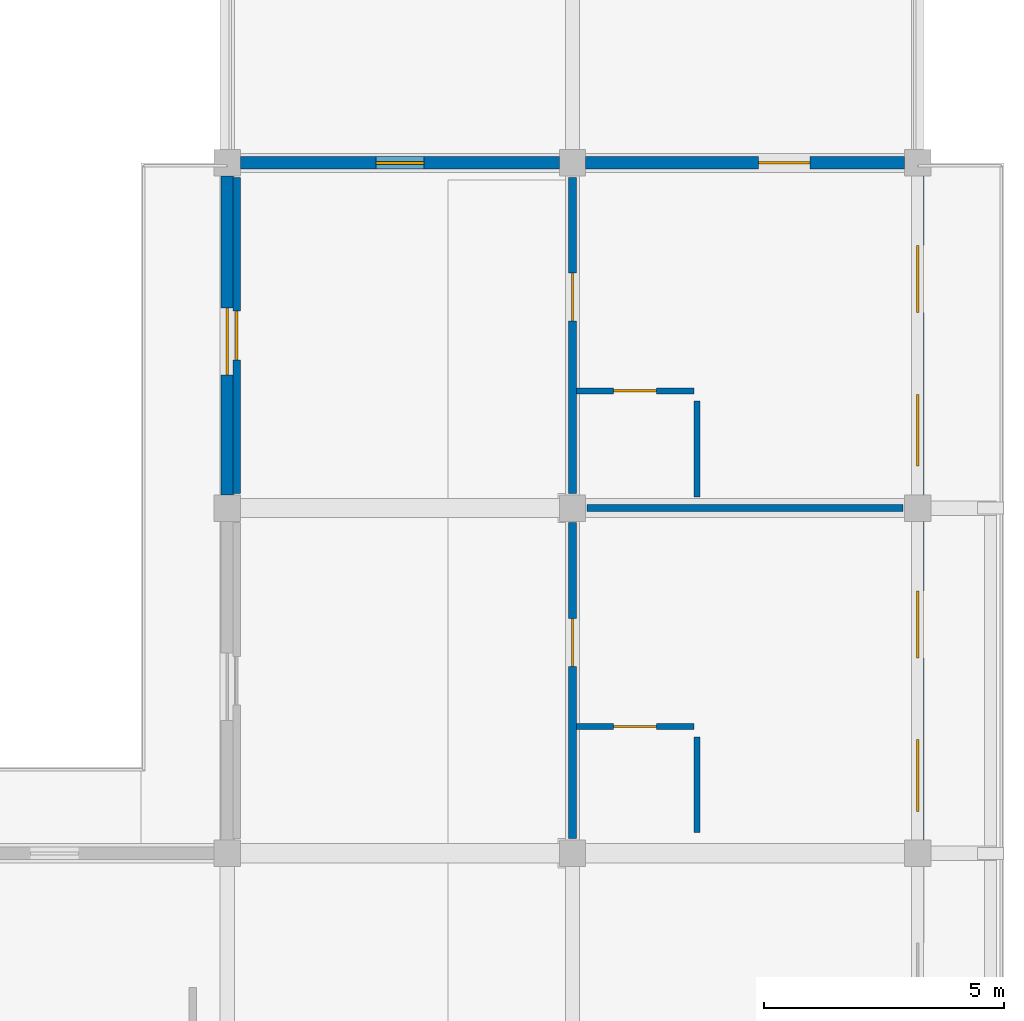
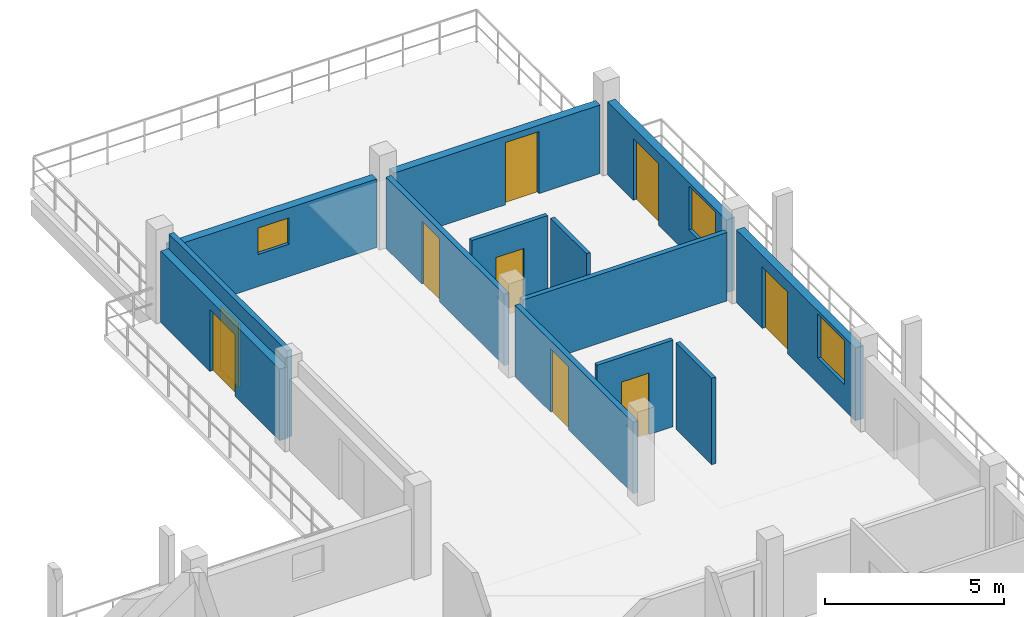
# One storey, part 47 of 65: 13 walls, 9 doors, 3 windows, 12 openings.
"""IFC4 building model written with IfcOpenShell, lengths in metres."""

import ifcopenshell
import ifcopenshell.guid

model = None  # the IFC model being written
_history = None  # IfcOwnerHistory: only IFC2X3 demands one
_inside = {}  # id of a spatial element -> (the spatial element, [elements in it])
_under = {}  # id of a project, library or spatial element -> (it, [spatial elements below it])
_declared = {}  # id of a project -> (the project, [libraries it declares])
_typed = {}  # id of a type object -> (the type object, [elements of that type])
_made_of = {}  # id of a material, layer set ... -> (it, [elements and type objects made of it])


def new_model(schema):
    """Start an empty IFC model of exactly this schema.

    Asked for "IFC4X3", IfcOpenShell would pick the latest addendum, in which some entities
    have other attributes; the version numbers below select the first issue.
    IFC2X3 requires an IfcOwnerHistory on every rooted entity: one is made here for all.
    """
    global model, _history
    if schema == "IFC4X3":
        model = ifcopenshell.file(schema_version=(4, 3, 0, 0))
    else:
        model = ifcopenshell.file(schema=schema)
    _inside.clear()
    _under.clear()
    _declared.clear()
    _typed.clear()
    _made_of.clear()
    _history = None
    if model.schema == "IFC2X3":
        org = make("IfcOrganization", Name="unknown")
        user = make(
            "IfcPersonAndOrganization",
            ThePerson=make("IfcPerson", FamilyName="unknown"),
            TheOrganization=org,
        )
        app = make(
            "IfcApplication",
            ApplicationDeveloper=org,
            Version="unknown",
            ApplicationFullName="unknown",
            ApplicationIdentifier="unknown",
        )
        _history = make(
            "IfcOwnerHistory",
            OwningUser=user,
            OwningApplication=app,
            ChangeAction="ADDED",
            CreationDate=0,
        )
    return model


def make(cls, **values):
    """One entity of the class cls with the attributes given. An attribute that is None is left unset."""
    return model.create_entity(
        cls, **{name: value for name, value in values.items() if value is not None}
    )


def rooted(cls, **values):
    """An entity with a GlobalId (a new one), such as an element, a storey or a relation."""
    return make(cls, GlobalId=ifcopenshell.guid.new(), OwnerHistory=_history, **values)


def si_unit(unit_type, name, prefix=None):
    """IfcSIUnit, for example si_unit("LENGTHUNIT", "METRE", prefix="MILLI")."""
    return make("IfcSIUnit", UnitType=unit_type, Prefix=prefix, Name=name)


def assignment(units):
    """IfcUnitAssignment: the units of a project."""
    return None if units is None else make("IfcUnitAssignment", Units=units)


def point(xyz):
    """IfcCartesianPoint."""
    return None if xyz is None else make("IfcCartesianPoint", Coordinates=xyz)


def direction(xyz):
    """IfcDirection."""
    return None if xyz is None else make("IfcDirection", DirectionRatios=xyz)


def frame(location, z_axis=None, x_axis=None):
    """IfcAxis2Placement3D, a coordinate frame: its origin and axes. An axis left out is left unset."""
    return make(
        "IfcAxis2Placement3D",
        Location=point(location),
        Axis=direction(z_axis),
        RefDirection=direction(x_axis),
    )


def frame_2d(location, x_axis=None):
    """IfcAxis2Placement2D, a coordinate frame in the plane: its origin and x axis."""
    return make(
        "IfcAxis2Placement2D", Location=point(location), RefDirection=direction(x_axis)
    )


def origin():
    """The frame at (0, 0, 0) with its axes left unset."""
    return frame((0.0, 0.0, 0.0))


def place(relative_to, where):
    """IfcLocalPlacement: puts the frame where relative to a parent placement (None: the world)."""
    return make(
        "IfcLocalPlacement", PlacementRelTo=relative_to, RelativePlacement=where
    )


def context(
    kind, dimensions, precision=None, world=None, true_north=None, identifier=None
):
    """IfcGeometricRepresentationContext, for example the 3D "Model" context."""
    return make(
        "IfcGeometricRepresentationContext",
        ContextIdentifier=identifier,
        ContextType=kind,
        CoordinateSpaceDimension=dimensions,
        Precision=precision,
        WorldCoordinateSystem=world,
        TrueNorth=true_north,
    )


def subcontext(parent, identifier, kind, view, scale=None):
    """IfcGeometricRepresentationSubContext, for example "Body" below "Model"."""
    return make(
        "IfcGeometricRepresentationSubContext",
        ContextIdentifier=identifier,
        ContextType=kind,
        ParentContext=parent,
        TargetScale=scale,
        TargetView=view,
    )


def project(units=None, contexts=None):
    """IfcProject with its units and contexts."""
    return rooted(
        "IfcProject",
        Name="project",
        RepresentationContexts=contexts,
        UnitsInContext=assignment(units),
    )


def spatial(cls, under=None, at=None, **own):
    """A site, building, storey or space (cls), placed at a placement, below another one or the project."""
    s = rooted(cls, ObjectPlacement=at, **own)
    if under is not None:
        _under.setdefault(under.id(), (under, []))[1].append(s)
    return s


def profile(cls, at=None, kind="AREA", **sizes):
    """A parametric profile (cls). Its sizes go by their IFC names, for example OverallWidth=200.0."""
    return make(cls, ProfileType=kind, Position=at, **sizes)


def rectangle(**sizes):
    """IfcRectangleProfileDef."""
    return profile("IfcRectangleProfileDef", **sizes)


def extrude(swept, where, along, depth):
    """IfcExtrudedAreaSolid: the profile swept, set in the frame where, extruded along a direction by depth."""
    return make(
        "IfcExtrudedAreaSolid",
        SweptArea=swept,
        Position=where,
        ExtrudedDirection=direction(along),
        Depth=depth,
    )


def shape(context_of_items, identifier, shape_type, items):
    """IfcShapeRepresentation: the items that make up one representation, for example the "Body"."""
    return make(
        "IfcShapeRepresentation",
        ContextOfItems=context_of_items,
        RepresentationIdentifier=identifier,
        RepresentationType=shape_type,
        Items=items,
    )


def material(Name=None, Category=None):
    """IfcMaterial."""
    return make("IfcMaterial", Name=Name, Category=Category)


def layer(
    of_material, thickness, ventilated=None, Name=None, Category=None, Priority=None
):
    """IfcMaterialLayer: one layer of a wall or slab, of a material (None: an air gap)."""
    return make(
        "IfcMaterialLayer",
        Material=of_material,
        LayerThickness=thickness,
        IsVentilated=ventilated,
        Name=Name,
        Category=Category,
        Priority=Priority,
    )


def layer_set(layers, Name=None):
    """IfcMaterialLayerSet."""
    return make("IfcMaterialLayerSet", MaterialLayers=layers, LayerSetName=Name)


def made_of(thing, what):
    """Note that an element or type object is made of a material, layer set ...; save() writes the relation."""
    if what is not None:
        _made_of.setdefault(what.id(), (what, []))[1].append(thing)
    return thing


def type_object(cls, material=None, **own):
    """A type object (cls), such as IfcWallType, which elements share."""
    return made_of(rooted(cls, **own), material)


def element(
    cls,
    number,
    at=None,
    inside=None,
    cuts=None,
    type_object=None,
    material=None,
    context=None,
    identifier="Body",
    shape_type=None,
    held_by="IfcProductDefinitionShape",
    body=None,
    shapes=None,
    **own,
):
    """One element of the class cls, such as IfcWall. Its Tag is "e" and its number.

    at: its placement. inside: the storey or other place that contains it. cuts: it is an
    opening in that element (IfcRelVoidsElement). A single representation is given by context,
    identifier, shape_type and body (its items); several are given by shapes. held_by: the class
    of the entity that holds the representations. save() writes the other relations.
    """
    e = rooted(cls, Tag="e%d" % number, ObjectPlacement=at, **own)
    if body is not None:
        shapes = [shape(context, identifier, shape_type, body)]
    if shapes is not None:
        e.Representation = make(held_by, Representations=shapes)
    if inside is not None:
        _inside.setdefault(inside.id(), (inside, []))[1].append(e)
    if cuts is not None:
        rooted(
            "IfcRelVoidsElement", RelatingBuildingElement=cuts, RelatedOpeningElement=e
        )
    if type_object is not None:
        _typed.setdefault(type_object.id(), (type_object, []))[1].append(e)
    return made_of(e, material)


def fill(opening, filler):
    """IfcRelFillsElement: the door or window that sits in an opening."""
    return rooted(
        "IfcRelFillsElement",
        RelatingOpeningElement=opening,
        RelatedBuildingElement=filler,
    )


def aggregate(whole, parts):
    """IfcRelAggregates: a whole, such as a stair, and the parts it consists of."""
    return rooted("IfcRelAggregates", RelatingObject=whole, RelatedObjects=parts)


def save(model, path):
    """Write the relations noted so far, then the file.

    IfcRelAggregates (storeys below a building ...), IfcRelContainedInSpatialStructure (elements
    in a storey), IfcRelDefinesByType, IfcRelAssociatesMaterial and IfcRelDeclares: one each for
    every whole, place, type object, material and project.
    """
    for whole, parts in _under.values():
        aggregate(whole, parts)
    for where, things in _inside.values():
        rooted(
            "IfcRelContainedInSpatialStructure",
            RelatedElements=things,
            RelatingStructure=where,
        )
    for kind, things in _typed.values():
        rooted("IfcRelDefinesByType", RelatedObjects=things, RelatingType=kind)
    for what, things in _made_of.values():
        rooted("IfcRelAssociatesMaterial", RelatedObjects=things, RelatingMaterial=what)
    for by, libraries in _declared.values():
        rooted("IfcRelDeclares", RelatingContext=by, RelatedDefinitions=libraries)
    model.write(path)


model = new_model("IFC4")

# Units and contexts
model_context = context("Model", 3, precision=1e-05, world=origin(), true_north=direction((0.0, 1.0)))
body_context = subcontext(model_context, "Body", "Model", "MODEL_VIEW")
ifc_project = project(units=[si_unit("LENGTHUNIT", "METRE"), si_unit("AREAUNIT", "SQUARE_METRE"), si_unit("VOLUMEUNIT", "CUBIC_METRE"), si_unit("PLANEANGLEUNIT", "RADIAN"), si_unit("MASSUNIT", "GRAM", prefix="KILO")], contexts=[model_context])

# Site, building, storey
site_placement = place(None, origin())
site = spatial("IfcSite", under=ifc_project, at=site_placement, CompositionType="ELEMENT")
building_placement = place(site_placement, origin())
building = spatial("IfcBuilding", under=site, at=building_placement, Name="Suanplinth Sawtooth Commons", CompositionType="ELEMENT")
storey_placement = place(building_placement, frame((0.0, 0.0, 28.300048828125)))
storey = spatial("IfcBuildingStorey", under=building, at=storey_placement, Name="L08", CompositionType="ELEMENT", Elevation=28.300048828125)

# Wall, opening, window
ifc_material_1 = material(Name="Precast concrete C40/50", Category="concrete")
ifc_layer_1 = layer(ifc_material_1, 0.260009765625, Name="Insulated precast courtyard facade wall 260mm")
ifc_layer_set_1 = layer_set([ifc_layer_1], Name="Precast concrete C40/50")
wall_type_1 = type_object("IfcWallType", Name="W-EX02", PredefinedType="ELEMENTEDWALL", material=ifc_layer_set_1)
wall_1_placement = place(storey_placement, frame((173.074951171875, 28.800048828125, 0.0), z_axis=(0.0, 0.0, 1.0), x_axis=(1.0, 0.0, 0.0)))
wall_1 = element("IfcWall", 1, at=wall_1_placement, inside=storey, type_object=wall_type_1, Name="Facade Wall W-L08-C-N-24-3", PredefinedType="ELEMENTEDWALL", context=body_context, shape_type="SweptSolid", body=[
    extrude(rectangle(XDim=6.650146484375, YDim=0.260009765625, at=frame_2d((3.3251953125, 0.0))), origin(), (0.0, 0.0, 1.0), 2.3349609375),
])
opening_1_placement = place(wall_1_placement, frame((2.824951171875, 0.0, 1.10009765625)))
opening_1 = element("IfcOpeningElement", 2, at=opening_1_placement, cuts=wall_1, Name="Opening W0751", PredefinedType="OPENING", context=body_context, shape_type="SweptSolid", body=[
    extrude(rectangle(XDim=1.0, YDim=0.89990234375, at=frame_2d((0.5, 0.449951171875))), frame((0.0, 0.14501953125, 0.0), z_axis=(0.0, -1.0, 0.0), x_axis=(1.0, 0.0, 0.0)), (0.0, 0.0, 1.0), 0.289794921875),
])
ifc_material_2 = material(Name="Thermally broken aluminium and low-E double glazing", Category="aluminium")
window_type_1 = type_object("IfcWindowType", Name="WN-12", PartitioningType="SINGLE_PANEL", PredefinedType="WINDOW", material=ifc_material_2)
window_1_placement = place(opening_1_placement, origin())
window_1 = element("IfcWindow", 3, at=window_1_placement, inside=storey, type_object=window_type_1, Name="End Window L08-C-N-24-3", OverallHeight=0.89990234375, OverallWidth=1.0, PartitioningType="SINGLE_PANEL", PredefinedType="WINDOW", context=body_context, shape_type="SweptSolid", body=[
    extrude(rectangle(XDim=1.0, YDim=0.89990234375, at=frame_2d((0.5, 0.449951171875))), frame((0.0, 0.030029296875, 0.0), z_axis=(0.0, -1.0, 0.0), x_axis=(1.0, 0.0, 0.0)), (0.0, 0.0, 1.0), 0.06005859375),
])
fill(opening_1, window_1)

# Wall, opening, door
wall_2_placement = place(storey_placement, frame((172.800048828125, 21.875, 0.0), z_axis=(0.0, 0.0, 1.0), x_axis=(0.0, 1.0, 0.0)))
wall_2 = element("IfcWall", 4, at=wall_2_placement, inside=storey, type_object=wall_type_1, Name="Facade Wall W-L08-C-W-24-3", PredefinedType="ELEMENTEDWALL", context=body_context, shape_type="SweptSolid", body=[
    extrude(rectangle(XDim=6.64990234375, YDim=0.260009765625, at=frame_2d((3.324951171875, 0.0))), origin(), (0.0, 0.0, 1.0), 2.43505859375),
])
opening_2_placement = place(wall_2_placement, frame((2.5, 0.0, 0.0)))
opening_2 = element("IfcOpeningElement", 5, at=opening_2_placement, cuts=wall_2, Name="Opening ED0667", PredefinedType="OPENING", context=body_context, shape_type="SweptSolid", body=[
    extrude(rectangle(XDim=1.39990234375, YDim=2.10009765625, at=frame_2d((0.699951171875, 1.050048828125))), frame((0.0, 0.14501953125, 0.0), z_axis=(0.0, -1.0, 0.0), x_axis=(1.0, 0.0, 0.0)), (0.0, 0.0, 1.0), 0.289794921875),
])
ifc_material_3 = material(Name="Anodized aluminium and low-E glass", Category="aluminium")
door_type_1 = type_object("IfcDoorType", Name="SD-07", OperationType="SLIDING_TO_RIGHT", PredefinedType="DOOR", material=ifc_material_3)
door_1_placement = place(opening_2_placement, frame((1.39990234375, 0.0, 0.0), z_axis=(0.0, 0.0, 1.0), x_axis=(-1.0, 0.0, 0.0)))
door_1 = element("IfcDoor", 6, at=door_1_placement, inside=storey, type_object=door_type_1, Name="Courtyard Veranda Studio Balcony Door L08-C-3", OperationType="SLIDING_TO_RIGHT", OverallHeight=2.10009765625, OverallWidth=1.39990234375, PredefinedType="DOOR", context=body_context, shape_type="SweptSolid", body=[
    extrude(rectangle(XDim=1.39990234375, YDim=2.10009765625, at=frame_2d((0.699951171875, 1.050048828125))), frame((0.0, 0.02490234375, 0.0), z_axis=(0.0, -1.0, 0.0), x_axis=(1.0, 0.0, 0.0)), (0.0, 0.0, 1.0), 0.050048828125),
])
fill(opening_2, door_1)

# Wall, openings, door, window
wall_3_placement = place(storey_placement, frame((187.199951171875, 14.675048828125, 0.0), z_axis=(0.0, 0.0, 1.0), x_axis=(0.0, 1.0, 0.0)))
wall_3 = element("IfcWall", 7, at=wall_3_placement, inside=storey, type_object=wall_type_1, Name="Facade Wall W-L08-C-E-25-2", PredefinedType="ELEMENTEDWALL", context=body_context, shape_type="SweptSolid", body=[
    extrude(rectangle(XDim=6.64990234375, YDim=0.260009765625, at=frame_2d((3.324951171875, 0.0))), origin(), (0.0, 0.0, 1.0), 2.48486328125),
])
opening_3_placement = place(wall_3_placement, frame((3.800048828125, 0.0, 0.0)))
opening_3 = element("IfcOpeningElement", 8, at=opening_3_placement, cuts=wall_3, Name="Opening ED0671", PredefinedType="OPENING", context=body_context, shape_type="SweptSolid", body=[
    extrude(rectangle(XDim=1.39990234375, YDim=2.10009765625, at=frame_2d((0.699951171875, 1.050048828125))), frame((0.0, 0.14501953125, 0.0), z_axis=(0.0, -1.0, 0.0), x_axis=(1.0, 0.0, 0.0)), (0.0, 0.0, 1.0), 0.289794921875),
])
opening_4_placement = place(wall_3_placement, frame((0.60009765625, 0.0, 0.875)))
opening_4 = element("IfcOpeningElement", 9, at=opening_4_placement, cuts=wall_3, Name="Opening W0754", PredefinedType="OPENING", context=body_context, shape_type="SweptSolid", body=[
    extrude(rectangle(XDim=1.5, YDim=1.5, at=frame_2d((0.75, 0.75))), frame((0.0, 0.14501953125, 0.0), z_axis=(0.0, -1.0, 0.0), x_axis=(1.0, 0.0, 0.0)), (0.0, 0.0, 1.0), 0.289794921875),
])
door_2_placement = place(opening_3_placement, frame((1.39990234375, 0.0, 0.0), z_axis=(0.0, 0.0, 1.0), x_axis=(-1.0, 0.0, 0.0)))
door_2 = element("IfcDoor", 10, at=door_2_placement, inside=storey, type_object=door_type_1, Name="Wing Balcony Sliding Door L08-C-2", OperationType="SLIDING_TO_RIGHT", OverallHeight=2.10009765625, OverallWidth=1.39990234375, PredefinedType="DOOR", context=body_context, shape_type="SweptSolid", body=[
    extrude(rectangle(XDim=1.39990234375, YDim=2.10009765625, at=frame_2d((0.699951171875, 1.050048828125))), frame((0.0, 0.02490234375, 0.0), z_axis=(0.0, -1.0, 0.0), x_axis=(1.0, 0.0, 0.0)), (0.0, 0.0, 1.0), 0.050048828125),
])
fill(opening_3, door_2)
window_type_2 = type_object("IfcWindowType", Name="WN-02", PartitioningType="DOUBLE_PANEL_VERTICAL", PredefinedType="WINDOW", material=ifc_material_2)
window_2_placement = place(opening_4_placement, origin())
window_2 = element("IfcWindow", 11, at=window_2_placement, inside=storey, type_object=window_type_2, Name="Wing Window L08-C-2", OverallHeight=1.5, OverallWidth=1.5, PartitioningType="DOUBLE_PANEL_VERTICAL", PredefinedType="WINDOW", context=body_context, shape_type="SweptSolid", body=[
    extrude(rectangle(XDim=1.5, YDim=1.5, at=frame_2d((0.75, 0.75))), frame((0.0, 0.030029296875, 0.0), z_axis=(0.0, -1.0, 0.0), x_axis=(1.0, 0.0, 0.0)), (0.0, 0.0, 1.0), 0.06005859375),
])
fill(opening_4, window_2)

# Wall, opening, door
wall_4_placement = place(storey_placement, frame((180.27490234375, 28.800048828125, 0.0), z_axis=(0.0, 0.0, 1.0), x_axis=(1.0, 0.0, 0.0)))
wall_4 = element("IfcWall", 12, at=wall_4_placement, inside=storey, type_object=wall_type_1, Name="Facade Wall W-L08-C-N-25-3", PredefinedType="ELEMENTEDWALL", context=body_context, shape_type="SweptSolid", body=[
    extrude(rectangle(XDim=6.650146484375, YDim=0.260009765625, at=frame_2d((3.3251953125, 0.0))), origin(), (0.0, 0.0, 1.0), 2.3349609375),
])
opening_5_placement = place(wall_4_placement, frame((3.60009765625, 0.0, 0.0)))
opening_5 = element("IfcOpeningElement", 13, at=opening_5_placement, cuts=wall_4, Name="Opening ED0672", PredefinedType="OPENING", context=body_context, shape_type="SweptSolid", body=[
    extrude(rectangle(XDim=1.080078125, YDim=2.1201171875, at=frame_2d((0.5400390625, 1.06005859375))), frame((0.0, 0.14501953125, 0.0), z_axis=(0.0, -1.0, 0.0), x_axis=(1.0, 0.0, 0.0)), (0.0, 0.0, 1.0), 0.289794921875),
])
door_type_2 = type_object("IfcDoorType", Name="ED-10", OperationType="NOTDEFINED", PredefinedType="DOOR", material=ifc_material_3)
door_3_placement = place(opening_5_placement, frame((1.080078125, 0.0, 0.0), z_axis=(0.0, 0.0, 1.0), x_axis=(-1.0, 0.0, 0.0)))
door_3 = element("IfcDoor", 14, at=door_3_placement, inside=storey, type_object=door_type_2, Name="L08 Block C Stepped Sky-Terrace Door 2", OperationType="SINGLE_SWING_RIGHT", OverallHeight=2.1201171875, OverallWidth=1.080078125, PredefinedType="DOOR", context=body_context, shape_type="SweptSolid", body=[
    extrude(rectangle(XDim=1.080078125, YDim=2.1201171875, at=frame_2d((0.5400390625, 1.06005859375))), frame((0.0, 0.02490234375, 0.0), z_axis=(0.0, -1.0, 0.0), x_axis=(1.0, 0.0, 0.0)), (0.0, 0.0, 1.0), 0.050048828125),
])
fill(opening_5, door_3)

# Wall, openings, door, window
wall_5_placement = place(storey_placement, frame((187.199951171875, 21.875, 0.0), z_axis=(0.0, 0.0, 1.0), x_axis=(0.0, 1.0, 0.0)))
wall_5 = element("IfcWall", 15, at=wall_5_placement, inside=storey, type_object=wall_type_1, Name="Facade Wall W-L08-C-E-25-3", PredefinedType="ELEMENTEDWALL", context=body_context, shape_type="SweptSolid", body=[
    extrude(rectangle(XDim=6.64990234375, YDim=0.260009765625, at=frame_2d((3.324951171875, 0.0))), origin(), (0.0, 0.0, 1.0), 2.48486328125),
])
opening_6_placement = place(wall_5_placement, frame((3.800048828125, 0.0, 0.0)))
opening_6 = element("IfcOpeningElement", 16, at=opening_6_placement, cuts=wall_5, Name="Opening ED0673", PredefinedType="OPENING", context=body_context, shape_type="SweptSolid", body=[
    extrude(rectangle(XDim=1.39990234375, YDim=2.10009765625, at=frame_2d((0.699951171875, 1.050048828125))), frame((0.0, 0.14501953125, 0.0), z_axis=(0.0, -1.0, 0.0), x_axis=(1.0, 0.0, 0.0)), (0.0, 0.0, 1.0), 0.289794921875),
])
opening_7_placement = place(wall_5_placement, frame((0.60009765625, 0.0, 0.875)))
opening_7 = element("IfcOpeningElement", 17, at=opening_7_placement, cuts=wall_5, Name="Opening W0755", PredefinedType="OPENING", context=body_context, shape_type="SweptSolid", body=[
    extrude(rectangle(XDim=1.5, YDim=1.5, at=frame_2d((0.75, 0.75))), frame((0.0, 0.14501953125, 0.0), z_axis=(0.0, -1.0, 0.0), x_axis=(1.0, 0.0, 0.0)), (0.0, 0.0, 1.0), 0.289794921875),
])
door_4_placement = place(opening_6_placement, frame((1.39990234375, 0.0, 0.0), z_axis=(0.0, 0.0, 1.0), x_axis=(-1.0, 0.0, 0.0)))
door_4 = element("IfcDoor", 18, at=door_4_placement, inside=storey, type_object=door_type_1, Name="Wing Balcony Sliding Door L08-C-3", OperationType="SLIDING_TO_RIGHT", OverallHeight=2.10009765625, OverallWidth=1.39990234375, PredefinedType="DOOR", context=body_context, shape_type="SweptSolid", body=[
    extrude(rectangle(XDim=1.39990234375, YDim=2.10009765625, at=frame_2d((0.699951171875, 1.050048828125))), frame((0.0, 0.02490234375, 0.0), z_axis=(0.0, -1.0, 0.0), x_axis=(1.0, 0.0, 0.0)), (0.0, 0.0, 1.0), 0.050048828125),
])
fill(opening_6, door_4)
window_3_placement = place(opening_7_placement, origin())
window_3 = element("IfcWindow", 19, at=window_3_placement, inside=storey, type_object=window_type_2, Name="Wing Window L08-C-3", OverallHeight=1.5, OverallWidth=1.5, PartitioningType="DOUBLE_PANEL_VERTICAL", PredefinedType="WINDOW", context=body_context, shape_type="SweptSolid", body=[
    extrude(rectangle(XDim=1.5, YDim=1.5, at=frame_2d((0.75, 0.75))), frame((0.0, 0.030029296875, 0.0), z_axis=(0.0, -1.0, 0.0), x_axis=(1.0, 0.0, 0.0)), (0.0, 0.0, 1.0), 0.06005859375),
])
fill(opening_7, window_3)

# Wall, opening, door
ifc_layer_2 = layer(ifc_material_1, 0.159912109375, Name="Fire-rated corridor and lobby wall 160mm")
ifc_layer_set_2 = layer_set([ifc_layer_2], Name="Precast concrete C40/50")
wall_type_2 = type_object("IfcWallType", Name="W-FW01", PredefinedType="PARTITIONING", material=ifc_layer_set_2)
wall_6_placement = place(storey_placement, frame((180.0, 14.705078125, 0.0), z_axis=(0.0, 0.0, 1.0), x_axis=(0.0, 1.0, 0.0)))
wall_6 = element("IfcWall", 20, at=wall_6_placement, inside=storey, type_object=wall_type_2, Name="W-C-L08-L01-COR", PredefinedType="PARTITIONING", context=body_context, shape_type="SweptSolid", body=[
    extrude(rectangle(XDim=6.58984375, YDim=0.159912109375, at=frame_2d((3.294921875, 0.0))), origin(), (0.0, 0.0, 1.0), 2.43505859375),
])
opening_8_placement = place(wall_6_placement, frame((3.594970703125, 0.0, 0.0)))
opening_8 = element("IfcOpeningElement", 21, at=opening_8_placement, cuts=wall_6, Name="Opening FD1723", PredefinedType="OPENING", context=body_context, shape_type="SweptSolid", body=[
    extrude(rectangle(XDim=1.0, YDim=2.14990234375, at=frame_2d((0.5, 1.074951171875))), frame((0.0, 0.0947265625, 0.0), z_axis=(0.0, -1.0, 0.0), x_axis=(1.0, 0.0, 0.0)), (0.0, 0.0, 1.0), 0.189697265625),
])
ifc_material_4 = material(Name="Teak hardwood fire-rated door assembly", Category="wood")
door_type_3 = type_object("IfcDoorType", Name="FD-03", OperationType="NOTDEFINED", PredefinedType="DOOR", material=ifc_material_4)
door_5_placement = place(opening_8_placement, frame((1.0, 0.0, 0.0), z_axis=(0.0, 0.0, 1.0), x_axis=(-1.0, 0.0, 0.0)))
door_5 = element("IfcDoor", 22, at=door_5_placement, inside=storey, type_object=door_type_3, Name="Wing Unit Entrance Door FD1723", OperationType="SINGLE_SWING_LEFT", OverallHeight=2.14990234375, OverallWidth=1.0, PredefinedType="DOOR", context=body_context, shape_type="SweptSolid", body=[
    extrude(rectangle(XDim=1.0, YDim=2.14990234375, at=frame_2d((0.5, 1.074951171875))), frame((0.0, 0.02490234375, 0.0), z_axis=(0.0, -1.0, 0.0), x_axis=(1.0, 0.0, 0.0)), (0.0, 0.0, 1.0), 0.050048828125),
])
fill(opening_8, door_5)

wall_7_placement = place(storey_placement, frame((180.0, 21.905029296875, 0.0), z_axis=(0.0, 0.0, 1.0), x_axis=(0.0, 1.0, 0.0)))
wall_7 = element("IfcWall", 23, at=wall_7_placement, inside=storey, type_object=wall_type_2, Name="W-C-L08-L02-COR", PredefinedType="PARTITIONING", context=body_context, shape_type="SweptSolid", body=[
    extrude(rectangle(XDim=6.590087890625, YDim=0.159912109375, at=frame_2d((3.294921875, 0.0))), origin(), (0.0, 0.0, 1.0), 2.43505859375),
])
opening_9_placement = place(wall_7_placement, frame((3.594970703125, 0.0, 0.0)))
opening_9 = element("IfcOpeningElement", 24, at=opening_9_placement, cuts=wall_7, Name="Opening FD1726", PredefinedType="OPENING", context=body_context, shape_type="SweptSolid", body=[
    extrude(rectangle(XDim=1.0, YDim=2.14990234375, at=frame_2d((0.5, 1.074951171875))), frame((0.0, 0.0947265625, 0.0), z_axis=(0.0, -1.0, 0.0), x_axis=(1.0, 0.0, 0.0)), (0.0, 0.0, 1.0), 0.189697265625),
])
door_6_placement = place(opening_9_placement, frame((1.0, 0.0, 0.0), z_axis=(0.0, 0.0, 1.0), x_axis=(-1.0, 0.0, 0.0)))
door_6 = element("IfcDoor", 25, at=door_6_placement, inside=storey, type_object=door_type_3, Name="Wing Unit Entrance Door FD1726", OperationType="SINGLE_SWING_RIGHT", OverallHeight=2.14990234375, OverallWidth=1.0, PredefinedType="DOOR", context=body_context, shape_type="SweptSolid", body=[
    extrude(rectangle(XDim=1.0, YDim=2.14990234375, at=frame_2d((0.5, 1.074951171875))), frame((0.0, 0.02490234375, 0.0), z_axis=(0.0, -1.0, 0.0), x_axis=(1.0, 0.0, 0.0)), (0.0, 0.0, 1.0), 0.050048828125),
])
fill(opening_9, door_6)

wall_8_placement = place(storey_placement, frame((173.0, 21.905029296875, 0.0), z_axis=(0.0, 0.0, 1.0), x_axis=(0.0, 1.0, 0.0)))
wall_8 = element("IfcWall", 26, at=wall_8_placement, inside=storey, type_object=wall_type_2, Name="W-C-L08-LEGCOURTROOM-39-COR", PredefinedType="PARTITIONING", context=body_context, shape_type="SweptSolid", body=[
    extrude(rectangle(XDim=6.590087890625, YDim=0.159912109375, at=frame_2d((3.294921875, 0.0))), origin(), (0.0, 0.0, 1.0), 2.949951171875),
])
opening_10_placement = place(wall_8_placement, frame((2.784912109375, 0.0, 0.0)))
opening_10 = element("IfcOpeningElement", 27, at=opening_10_placement, cuts=wall_8, Name="Opening D1728", PredefinedType="OPENING", context=body_context, shape_type="SweptSolid", body=[
    extrude(rectangle(XDim=1.02001953125, YDim=2.179931640625, at=frame_2d((0.510009765625, 1.08984375))), frame((0.0, 0.0947265625, 0.0), z_axis=(0.0, -1.0, 0.0), x_axis=(1.0, 0.0, 0.0)), (0.0, 0.0, 1.0), 0.189697265625),
])
ifc_material_5 = material(Name="Teak hardwood", Category="wood")
door_type_4 = type_object("IfcDoorType", Name="D-16", OperationType="NOTDEFINED", PredefinedType="DOOR", material=ifc_material_5)
door_7_placement = place(opening_10_placement, origin())
door_7 = element("IfcDoor", 28, at=door_7_placement, inside=storey, type_object=door_type_4, Name="Veranda Studio Door D1728", OperationType="SINGLE_SWING_RIGHT", OverallHeight=2.179931640625, OverallWidth=1.02001953125, PredefinedType="DOOR", context=body_context, shape_type="SweptSolid", body=[
    extrude(rectangle(XDim=1.02001953125, YDim=2.179931640625, at=frame_2d((0.510009765625, 1.08984375))), frame((0.0, 0.02490234375, 0.0), z_axis=(0.0, -1.0, 0.0), x_axis=(1.0, 0.0, 0.0)), (0.0, 0.0, 1.0), 0.050048828125),
])
fill(opening_10, door_7)

# Wall
ifc_layer_3 = layer(ifc_material_1, 0.14990234375, Name="Acoustic precast party demising wall 150mm")
ifc_layer_set_3 = layer_set([ifc_layer_3], Name="Precast concrete C40/50")
wall_type_3 = type_object("IfcWallType", Name="W-FW02", PredefinedType="PARTITIONING", material=ifc_layer_set_3)
wall_9_placement = place(storey_placement, frame((180.304931640625, 21.60009765625, 0.0), z_axis=(0.0, 0.0, 1.0), x_axis=(1.0, 0.0, 0.0)))
element("IfcWall", 29, at=wall_9_placement, inside=storey, type_object=wall_type_3, Name="W-C-L08-L01-PTY", PredefinedType="PARTITIONING", context=body_context, shape_type="SweptSolid", body=[
    extrude(rectangle(XDim=6.590087890625, YDim=0.14990234375, at=frame_2d((3.294921875, 0.0))), origin(), (0.0, 0.0, 1.0), 2.3349609375),
])

# Wall, opening, door
ifc_material_6 = material(Name="Gypsum plasterboard on steel stud", Category="steel")
ifc_layer_4 = layer(ifc_material_6, 0.1298828125, Name="Moisture-resistant bathroom partition 130mm")
ifc_layer_set_4 = layer_set([ifc_layer_4], Name="Gypsum plasterboard on steel stud")
wall_type_4 = type_object("IfcWallType", Name="W-PT02", PredefinedType="PARTITIONING", material=ifc_layer_set_4)
wall_10_placement = place(storey_placement, frame((180.080078125, 17.044921875, 0.0), z_axis=(0.0, 0.0, 1.0), x_axis=(1.0, 0.0, 0.0)))
wall_10 = element("IfcWall", 30, at=wall_10_placement, inside=storey, type_object=wall_type_4, Name="W-C-L08-L01-BTH1", PredefinedType="PARTITIONING", context=body_context, shape_type="SweptSolid", body=[
    extrude(rectangle(XDim=2.449951171875, YDim=0.1298828125, at=frame_2d((1.22509765625, 0.0))), origin(), (0.0, 0.0, 1.0), 2.949951171875),
])
opening_11_placement = place(wall_10_placement, frame((0.77490234375, 0.0, 0.0)))
opening_11 = element("IfcOpeningElement", 31, at=opening_11_placement, cuts=wall_10, Name="Opening D1724", PredefinedType="OPENING", context=body_context, shape_type="SweptSolid", body=[
    extrude(rectangle(XDim=0.89990234375, YDim=2.10009765625, at=frame_2d((0.449951171875, 1.050048828125))), frame((0.0, 0.079833984375, 0.0), z_axis=(0.0, -1.0, 0.0), x_axis=(1.0, 0.0, 0.0)), (0.0, 0.0, 1.0), 0.15966796875),
])
door_type_5 = type_object("IfcDoorType", Name="D-01", OperationType="NOTDEFINED", PredefinedType="DOOR", material=ifc_material_5)
door_8_placement = place(opening_11_placement, frame((0.89990234375, 0.0, 0.0), z_axis=(0.0, 0.0, 1.0), x_axis=(-1.0, 0.0, 0.0)))
door_8 = element("IfcDoor", 32, at=door_8_placement, inside=storey, type_object=door_type_5, Name="Bathroom Door D1724", OperationType="SINGLE_SWING_RIGHT", OverallHeight=2.10009765625, OverallWidth=0.89990234375, PredefinedType="DOOR", context=body_context, shape_type="SweptSolid", body=[
    extrude(rectangle(XDim=0.89990234375, YDim=2.10009765625, at=frame_2d((0.449951171875, 1.050048828125))), frame((0.0, 0.02490234375, 0.0), z_axis=(0.0, -1.0, 0.0), x_axis=(1.0, 0.0, 0.0)), (0.0, 0.0, 1.0), 0.050048828125),
])
fill(opening_11, door_8)

# Wall
wall_11_placement = place(storey_placement, frame((182.594970703125, 14.830078125, 0.0), z_axis=(0.0, 0.0, 1.0), x_axis=(0.0, 1.0, 0.0)))
element("IfcWall", 33, at=wall_11_placement, inside=storey, type_object=wall_type_4, Name="W-C-L08-L01-BTH2", PredefinedType="PARTITIONING", context=body_context, shape_type="SweptSolid", body=[
    extrude(rectangle(XDim=2.0, YDim=0.1298828125, at=frame_2d((1.0, 0.0))), origin(), (0.0, 0.0, 1.0), 2.949951171875),
])

# Wall, opening, door
wall_12_placement = place(storey_placement, frame((180.080078125, 24.044921875, 0.0), z_axis=(0.0, 0.0, 1.0), x_axis=(1.0, 0.0, 0.0)))
wall_12 = element("IfcWall", 34, at=wall_12_placement, inside=storey, type_object=wall_type_4, Name="W-C-L08-L02-BTH1", PredefinedType="PARTITIONING", context=body_context, shape_type="SweptSolid", body=[
    extrude(rectangle(XDim=2.449951171875, YDim=0.1298828125, at=frame_2d((1.22509765625, 0.0))), origin(), (0.0, 0.0, 1.0), 2.949951171875),
])
opening_12_placement = place(wall_12_placement, frame((0.77490234375, 0.0, 0.0)))
opening_12 = element("IfcOpeningElement", 35, at=opening_12_placement, cuts=wall_12, Name="Opening D1727", PredefinedType="OPENING", context=body_context, shape_type="SweptSolid", body=[
    extrude(rectangle(XDim=0.89990234375, YDim=2.10009765625, at=frame_2d((0.449951171875, 1.050048828125))), frame((0.0, 0.079833984375, 0.0), z_axis=(0.0, -1.0, 0.0), x_axis=(1.0, 0.0, 0.0)), (0.0, 0.0, 1.0), 0.15966796875),
])
door_9_placement = place(opening_12_placement, frame((0.89990234375, 0.0, 0.0), z_axis=(0.0, 0.0, 1.0), x_axis=(-1.0, 0.0, 0.0)))
door_9 = element("IfcDoor", 36, at=door_9_placement, inside=storey, type_object=door_type_5, Name="Bathroom Door D1727", OperationType="SINGLE_SWING_LEFT", OverallHeight=2.10009765625, OverallWidth=0.89990234375, PredefinedType="DOOR", context=body_context, shape_type="SweptSolid", body=[
    extrude(rectangle(XDim=0.89990234375, YDim=2.10009765625, at=frame_2d((0.449951171875, 1.050048828125))), frame((0.0, 0.02490234375, 0.0), z_axis=(0.0, -1.0, 0.0), x_axis=(1.0, 0.0, 0.0)), (0.0, 0.0, 1.0), 0.050048828125),
])
fill(opening_12, door_9)

# Wall
wall_13_placement = place(storey_placement, frame((182.594970703125, 21.830078125, 0.0), z_axis=(0.0, 0.0, 1.0), x_axis=(0.0, 1.0, 0.0)))
element("IfcWall", 37, at=wall_13_placement, inside=storey, type_object=wall_type_4, Name="W-C-L08-L02-BTH2", PredefinedType="PARTITIONING", context=body_context, shape_type="SweptSolid", body=[
    extrude(rectangle(XDim=2.0, YDim=0.1298828125, at=frame_2d((1.0, 0.0))), origin(), (0.0, 0.0, 1.0), 2.949951171875),
])

save(model, "model.ifc")
